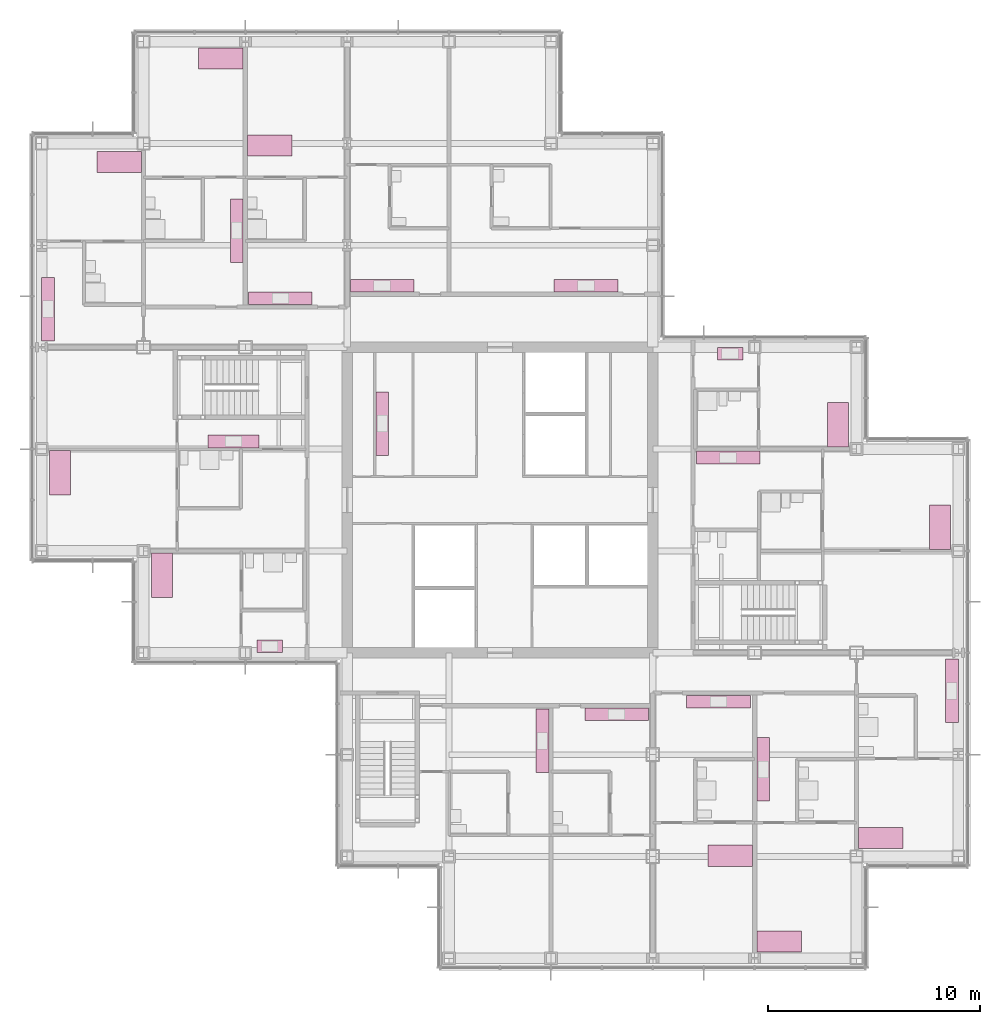
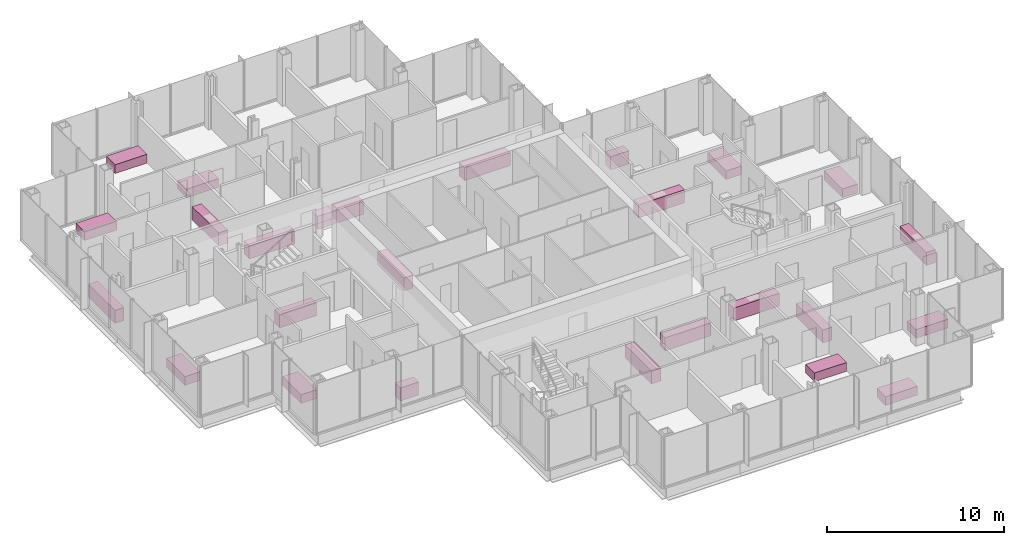
# One storey, part 19 of 19: 25 furniture elements.
"""IFC4 building model written with IfcOpenShell, lengths in metres."""

from ifc_helpers import new_model, si_unit, direction, frame, origin, origin_2d, place, context, subcontext, project, spatial, rectangle, extrude, material, type_object, element, save


model = new_model("IFC4")

# Units and contexts
model_context = context("Model", 3, precision=1e-05, world=origin(), true_north=direction((0.0, 1.0)))
body_context = subcontext(model_context, "Body", "Model", "MODEL_VIEW")
ifc_project = project(units=[si_unit("LENGTHUNIT", "METRE"), si_unit("AREAUNIT", "SQUARE_METRE"), si_unit("VOLUMEUNIT", "CUBIC_METRE"), si_unit("PLANEANGLEUNIT", "RADIAN"), si_unit("MASSUNIT", "GRAM", prefix="KILO")], contexts=[model_context])

# Site, building, storey
site_placement = place(None, origin())
site = spatial("IfcSite", under=ifc_project, at=site_placement, CompositionType="ELEMENT")
building_placement = place(site_placement, origin())
building = spatial("IfcBuilding", under=site, at=building_placement, Name="Kvirike Care Tower", CompositionType="ELEMENT")
storey_placement = place(building_placement, frame((0.0, 0.0, 108.5)))
storey = spatial("IfcBuildingStorey", under=building, at=storey_placement, Name="L29", CompositionType="ELEMENT", Elevation=108.5)

# Furniture
ifc_material_1 = material(Name="Steel frame", Category="steel")
furniture_type_1 = type_object("IfcFurnitureType", Name="CARE BED 1000 x 2100", AssemblyPlace="FACTORY", PredefinedType="BED", material=ifc_material_1)
for number, where, z_axis, x_axis, name in (
    (1, (0.8701171875, 37.2880859375, 0.0), (0.0, 0.0, 1.0), (1.0, 0.0, 0.0), "Care bed L29-004"),
    (2, (5.669921875, 32.447998046875, 0.0), (0.0, 0.0, 1.0), (1.0, 0.0, 0.0), "Care bed L29-008"),
    (3, (10.751953125, 52.7099609375, 0.0), (0.0, 0.0, 1.0), (0.0, 1.0, 0.0), "Care bed L29-012"),
    (4, (8.447998046875, 56.802978515625, 0.0), (0.0, 0.0, 1.0), (0.0, -1.0, 0.0), "Care bed L29-015"),
    (5, (3.64794921875, 51.929931640625, 0.0), (0.0, 0.0, 1.0), (0.0, -1.0, 0.0), "Care bed L29-018"),
    (6, (32.447998046875, 19.239990234375, 0.0), (0.0, 0.0, 1.0), (0.0, -1.0, 0.0), "Care bed L29-037"),
    (7, (34.751953125, 15.197021484375, 0.0), (0.0, 0.0, 1.0), (0.0, 1.0, 0.0), "Care bed L29-040"),
    (8, (39.552001953125, 20.070068359375, 0.0), (0.0, 0.0, 1.0), (0.0, 1.0, 0.0), "Care bed L29-043"),
    (9, (42.330078125, 34.7119140625, 0.0), (0.0, 0.0, 1.0), (-1.0, 0.0, 0.0), "Care bed L29-049"),
    (10, (37.530029296875, 39.552001953125, 0.0), (0.0, 0.0, 1.0), (-1.0, 0.0, 0.0), "Care bed L29-053"),
):
    element("IfcFurniture", number, at=place(storey_placement, frame(where, z_axis=z_axis, x_axis=x_axis)), inside=storey, type_object=furniture_type_1, Name=name, PredefinedType="BED", context=body_context, shape_type="SweptSolid", body=[
        extrude(rectangle(XDim=1.0, YDim=2.10009765625, at=origin_2d()), origin(), (0.0, 0.0, 1.0), 0.60009765625),
    ])
ifc_material_2 = material(Name="Laminated board", Category="wood")
furniture_type_2 = type_object("IfcFurnitureType", Name="KITCHEN UNIT RUN 600", AssemblyPlace="FACTORY", PredefinedType="USERDEFINED", material=ifc_material_2)
furniture_1_placement = place(storey_placement, frame((9.050048828125, 38.761962890625, 0.0), z_axis=(0.0, 0.0, 1.0), x_axis=(-1.0, 0.0, 0.0)))
element("IfcFurniture", 11, at=furniture_1_placement, inside=storey, type_object=furniture_type_2, Name="Kitchen unit run L29-006", ObjectType="KITCHEN UNIT", PredefinedType="USERDEFINED", context=body_context, shape_type="SweptSolid", body=[
    extrude(rectangle(XDim=2.39990234375, YDim=0.60009765625, at=origin_2d()), origin(), (0.0, 0.0, 1.0), 0.89990234375),
])
furniture_2_placement = place(storey_placement, frame((10.75, 29.10205078125, 0.0), z_axis=(0.0, 0.0, 1.0), x_axis=(-1.0, 0.0, 0.0)))
element("IfcFurniture", 12, at=furniture_2_placement, inside=storey, type_object=furniture_type_2, Name="Kitchen unit run L29-010", ObjectType="KITCHEN UNIT", PredefinedType="USERDEFINED", context=body_context, shape_type="SweptSolid", body=[
    extrude(rectangle(XDim=1.199951171875, YDim=0.60009765625, at=origin_2d()), origin(), (0.0, 0.0, 1.0), 0.89990234375),
])
for number, where, z_axis, x_axis, name in (
    (13, (11.25, 45.501953125, 0.0), (0.0, 0.0, 1.0), (-1.0, 0.0, 0.0), "Kitchen unit run L29-014"),
    (14, (9.197998046875, 48.68994140625, 0.0), (0.0, 0.0, 1.0), (0.0, -1.0, 0.0), "Kitchen unit run L29-017"),
    (15, (0.302001953125, 44.9970703125, 0.0), (0.0, 0.0, 1.0), (0.0, 1.0, 0.0), "Kitchen unit run L29-020"),
    (16, (23.597900390625, 24.64990234375, 0.0), (0.0, 0.0, 1.0), (0.0, -1.0, 0.0), "Kitchen unit run L29-025"),
    (17, (27.10009765625, 25.89794921875, 0.0), (0.0, 0.0, 1.0), (1.0, 0.0, 0.0), "Kitchen unit run L29-028"),
    (18, (25.64990234375, 46.10205078125, 0.0), (0.0, 0.0, 1.0), (-1.0, 0.0, 0.0), "Kitchen unit run L29-032"),
    (19, (16.050048828125, 46.10205078125, 0.0), (0.0, 0.0, 1.0), (-1.0, 0.0, 0.0), "Kitchen unit run L29-035"),
    (20, (31.89990234375, 26.498046875, 0.0), (0.0, 0.0, 1.0), (1.0, 0.0, 0.0), "Kitchen unit run L29-039"),
    (21, (34.001953125, 23.31005859375, 0.0), (0.0, 0.0, 1.0), (0.0, 1.0, 0.0), "Kitchen unit run L29-042"),
    (22, (42.89794921875, 27.0029296875, 0.0), (0.0, 0.0, 1.0), (0.0, -1.0, 0.0), "Kitchen unit run L29-045"),
    (23, (32.35009765625, 37.998046875, 0.0), (0.0, 0.0, 1.0), (1.0, 0.0, 0.0), "Kitchen unit run L29-052"),
):
    element("IfcFurniture", number, at=place(storey_placement, frame(where, z_axis=z_axis, x_axis=x_axis)), inside=storey, type_object=furniture_type_2, Name=name, ObjectType="KITCHEN UNIT", PredefinedType="USERDEFINED", context=body_context, shape_type="SweptSolid", body=[
        extrude(rectangle(XDim=3.0, YDim=0.60009765625, at=origin_2d()), origin(), (0.0, 0.0, 1.0), 0.89990234375),
    ])
furniture_3_placement = place(storey_placement, frame((32.449951171875, 42.89794921875, 0.0), z_axis=(0.0, 0.0, 1.0), x_axis=(1.0, 0.0, 0.0)))
element("IfcFurniture", 24, at=furniture_3_placement, inside=storey, type_object=furniture_type_2, Name="Kitchen unit run L29-055", ObjectType="KITCHEN UNIT", PredefinedType="USERDEFINED", context=body_context, shape_type="SweptSolid", body=[
    extrude(rectangle(XDim=1.199951171875, YDim=0.60009765625, at=origin_2d()), origin(), (0.0, 0.0, 1.0), 0.89990234375),
])
furniture_4_placement = place(storey_placement, frame((16.052001953125, 39.60009765625, 0.0), z_axis=(0.0, 0.0, 1.0), x_axis=(0.0, 1.0, 0.0)))
element("IfcFurniture", 25, at=furniture_4_placement, inside=storey, type_object=furniture_type_2, Name="Kitchen unit run L29-062", ObjectType="KITCHEN UNIT", PredefinedType="USERDEFINED", context=body_context, shape_type="SweptSolid", body=[
    extrude(rectangle(XDim=3.0, YDim=0.60009765625, at=origin_2d()), origin(), (0.0, 0.0, 1.0), 0.89990234375),
])

save(model, "model.ifc")
